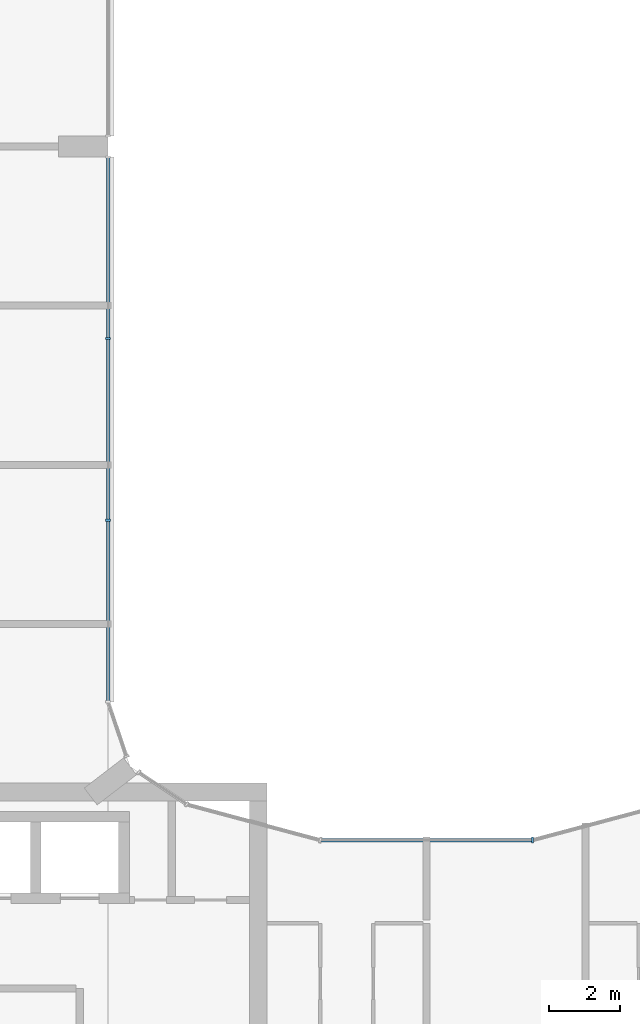
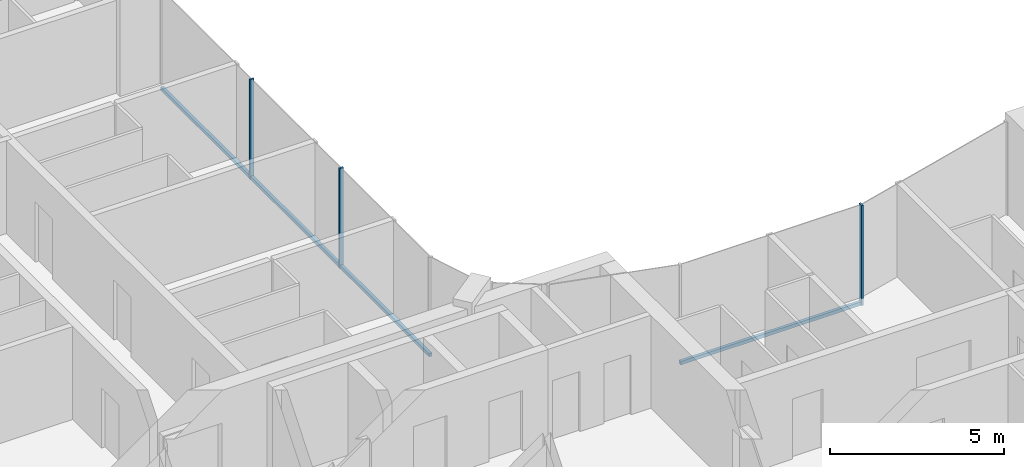
# One storey, part 5 of 16: 5 members, 2 elements without a shape of their own.
"""IFC4 building model written with IfcOpenShell, lengths in metres."""

from ifc_helpers import new_model, si_unit, direction, frame, origin, origin_2d, place, context, subcontext, project, spatial, rectangle, extrude, material, layer, layer_set, material_profile, profile_set, type_object, element, aggregate, save


model = new_model("IFC4")

# Units and contexts
model_context = context("Model", 3, precision=1e-05, world=origin(), true_north=direction((0.0, 1.0)))
body_context = subcontext(model_context, "Body", "Model", "MODEL_VIEW")
ifc_project = project(units=[si_unit("LENGTHUNIT", "METRE"), si_unit("AREAUNIT", "SQUARE_METRE"), si_unit("VOLUMEUNIT", "CUBIC_METRE"), si_unit("PLANEANGLEUNIT", "RADIAN"), si_unit("MASSUNIT", "GRAM", prefix="KILO")], contexts=[model_context])

# Site, building, storey
site_placement = place(None, origin())
site = spatial("IfcSite", under=ifc_project, at=site_placement, CompositionType="ELEMENT")
building_placement = place(site_placement, origin())
building = spatial("IfcBuilding", under=site, at=building_placement, Name="Plateau Cross Towers", CompositionType="ELEMENT")
storey_placement = place(building_placement, frame((0.0, 0.0, 215.39990234375)))
storey = spatial("IfcBuildingStorey", under=building, at=storey_placement, Name="L56", CompositionType="ELEMENT", Elevation=215.39990234375)

# Curtain wall, members
ifc_material_1 = material(Name="Dark low-iron glass", Category="glass")
ifc_layer_1 = layer(ifc_material_1, 0.239990234375)
ifc_layer_set_1 = layer_set([ifc_layer_1], Name="Dark low-iron glass")
curtain_wall_type_1 = type_object("IfcCurtainWallType", Name="Curtain wall flush unitised CW-B", PredefinedType="NOTDEFINED", material=ifc_layer_set_1)
curtain_wall_1_placement = place(storey_placement, origin())
curtain_wall_1 = element("IfcCurtainWall", 1, at=curtain_wall_1_placement, inside=storey, type_object=curtain_wall_type_1, Name="ENV/A/L56/A180_203", PredefinedType="NOTDEFINED")
ifc_material_2 = material(Name="Black anodised aluminium", Category="aluminium")
ifc_material_profile_1 = material_profile(ifc_material_2, rectangle(XDim=0.06005859375, YDim=0.139892578125, at=origin_2d()), Name="MULLION 60x140")
ifc_profile_set_1 = profile_set([ifc_material_profile_1], Name="Black anodised aluminium")
member_type_1 = type_object("IfcMemberType", Name="Mullion 60x140 flush unitised", PredefinedType="MULLION", material=ifc_profile_set_1)
member_1_placement = place(storey_placement, frame((18.0, 25.434814453125, -0.25), z_axis=(0.0, 0.0, 1.0), x_axis=(0.0, 1.0, 0.0)))
member_1 = element("IfcMember", 2, at=member_1_placement, type_object=member_type_1, Name="CW-B mullion 2", PredefinedType="MULLION", context=body_context, shape_type="SweptSolid", body=[
    extrude(rectangle(XDim=0.06005859375, YDim=0.139892578125, at=origin_2d()), origin(), (0.0, 0.0, 1.0), 3.5),
])
member_2_placement = place(storey_placement, frame((18.0, 30.5673828125, -0.25), z_axis=(0.0, 0.0, 1.0), x_axis=(0.0, 1.0, 0.0)))
member_2 = element("IfcMember", 3, at=member_2_placement, type_object=member_type_1, Name="CW-B mullion 3", PredefinedType="MULLION", context=body_context, shape_type="SweptSolid", body=[
    extrude(rectangle(XDim=0.06005859375, YDim=0.139892578125, at=origin_2d()), origin(), (0.0, 0.0, 1.0), 3.5),
])

# Curtain wall, member
ifc_layer_2 = layer(ifc_material_1, 0.260009765625)
ifc_layer_set_2 = layer_set([ifc_layer_2], Name="Dark low-iron glass")
curtain_wall_type_2 = type_object("IfcCurtainWallType", Name="Curtain wall fluted unitised CW-A", PredefinedType="NOTDEFINED", material=ifc_layer_set_2)
curtain_wall_2_placement = place(storey_placement, origin())
curtain_wall_2 = element("IfcCurtainWall", 4, at=curtain_wall_2_placement, inside=storey, type_object=curtain_wall_type_2, Name="ENV/A/L56/A300_164", PredefinedType="NOTDEFINED")
ifc_material_profile_2 = material_profile(ifc_material_2, rectangle(XDim=0.06005859375, YDim=0.159912109375, at=origin_2d()), Name="MULLION 60x160")
ifc_profile_set_2 = profile_set([ifc_material_profile_2], Name="Black anodised aluminium")
member_type_2 = type_object("IfcMemberType", Name="Mullion 60x160 fluted unitised", PredefinedType="MULLION", material=ifc_profile_set_2)
member_3_placement = place(storey_placement, frame((30.0, 16.39306640625, -0.25), z_axis=(0.0, 0.0, 1.0), x_axis=(-1.0, 0.0, 0.0)))
member_3 = element("IfcMember", 5, at=member_3_placement, type_object=member_type_2, Name="CW-A mullion 1", PredefinedType="MULLION", context=body_context, shape_type="SweptSolid", body=[
    extrude(rectangle(XDim=0.06005859375, YDim=0.159912109375, at=origin_2d()), origin(), (0.0, 0.0, 1.0), 3.5),
])

# Member
ifc_material_profile_3 = material_profile(ifc_material_2, rectangle(XDim=0.10009765625, YDim=0.1201171875, at=origin_2d()), Name="TRANSOM 100x120")
ifc_profile_set_3 = profile_set([ifc_material_profile_3], Name="Black anodised aluminium")
member_type_3 = type_object("IfcMemberType", Name="Transom 100x120 flush unitised", PredefinedType="USERDEFINED", material=ifc_profile_set_3)
member_4_placement = place(storey_placement, frame((18.0, 20.30224609375, -0.18994140625), z_axis=(0.0, 1.0, 0.0), x_axis=(-1.0, 0.0, 0.0)))
member_4 = element("IfcMember", 6, at=member_4_placement, type_object=member_type_3, Name="CW-B transom", ObjectType="TRANSOM", PredefinedType="USERDEFINED", context=body_context, shape_type="SweptSolid", body=[
    extrude(rectangle(XDim=0.10009765625, YDim=0.1201171875, at=origin_2d()), origin(), (0.0, 0.0, 1.0), 15.397705078125),
])

aggregate(curtain_wall_1, [member_1, member_2, member_4])

ifc_material_profile_4 = material_profile(ifc_material_2, rectangle(XDim=0.10009765625, YDim=0.1201171875, at=origin_2d()), Name="TRANSOM 100x120")
ifc_profile_set_4 = profile_set([ifc_material_profile_4], Name="Black anodised aluminium")
member_type_4 = type_object("IfcMemberType", Name="Transom 100x120 fluted unitised", PredefinedType="USERDEFINED", material=ifc_profile_set_4)
member_5_placement = place(storey_placement, frame((30.0, 16.39306640625, -0.18994140625), z_axis=(-1.0, 0.0, 0.0), x_axis=(0.0, -1.0, 0.0)))
member_5 = element("IfcMember", 7, at=member_5_placement, type_object=member_type_4, Name="CW-A transom", ObjectType="TRANSOM", PredefinedType="USERDEFINED", context=body_context, shape_type="SweptSolid", body=[
    extrude(rectangle(XDim=0.10009765625, YDim=0.1201171875, at=origin_2d()), origin(), (0.0, 0.0, 1.0), 6.0),
])

aggregate(curtain_wall_2, [member_3, member_5])

save(model, "model.ifc")
